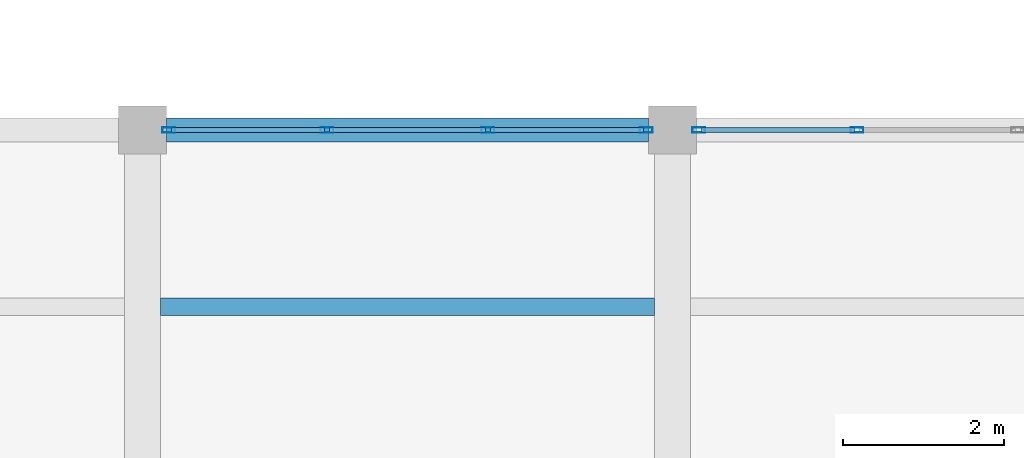
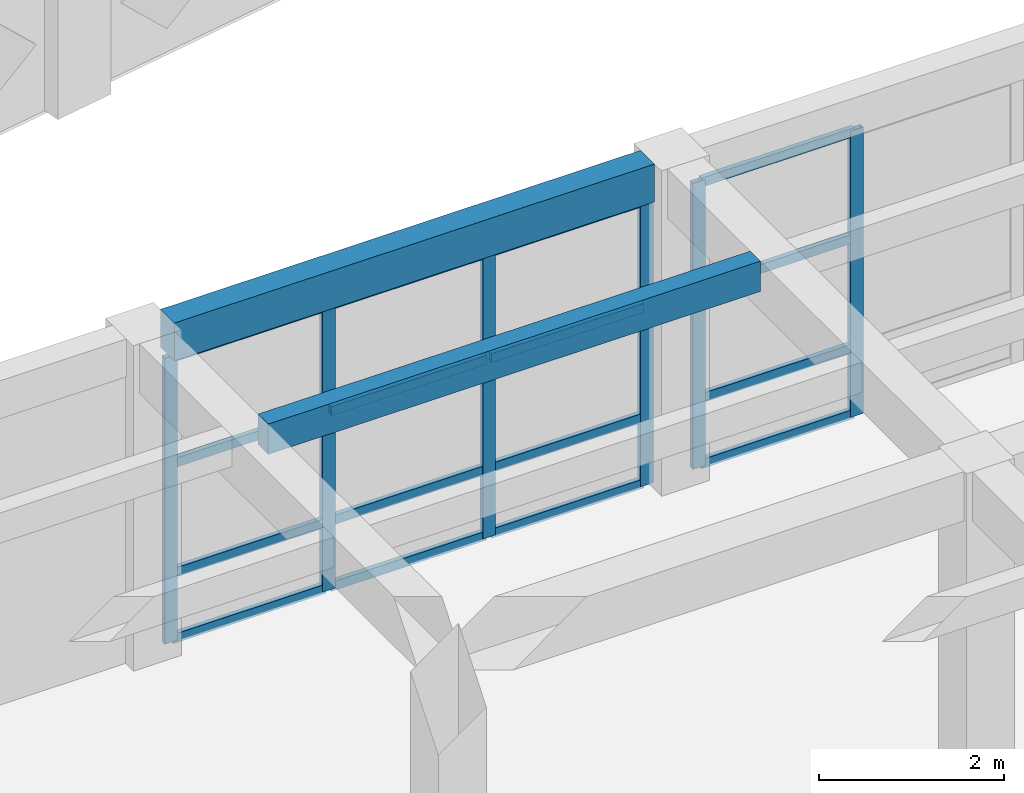
# One storey, part 11 of 80: 22 members, 2 beams, 2 elements without a shape of their own.
"""IFC4 building model written with IfcOpenShell, lengths in metres."""

from ifc_helpers import new_model, si_unit, direction, frame, origin, origin_2d, place, context, subcontext, project, spatial, rectangle, hollow_rectangle, extrude, material, layer, layer_set, material_profile, profile_set, type_object, element, aggregate, save


model = new_model("IFC4")

# Units and contexts
model_context = context("Model", 3, precision=1e-05, world=origin(), true_north=direction((0.0, 1.0)))
body_context = subcontext(model_context, "Body", "Model", "MODEL_VIEW")
ifc_project = project(units=[si_unit("LENGTHUNIT", "METRE"), si_unit("AREAUNIT", "SQUARE_METRE"), si_unit("VOLUMEUNIT", "CUBIC_METRE"), si_unit("PLANEANGLEUNIT", "RADIAN"), si_unit("MASSUNIT", "GRAM", prefix="KILO")], contexts=[model_context])

# Site, building, storey
site_placement = place(None, origin())
site = spatial("IfcSite", under=ifc_project, at=site_placement, CompositionType="ELEMENT")
building_placement = place(site_placement, origin())
building = spatial("IfcBuilding", under=site, at=building_placement, Name="Kharisveld Research Institute", CompositionType="ELEMENT")
storey_placement = place(building_placement, frame((0.0, 0.0, 5.10009765625)))
storey = spatial("IfcBuildingStorey", under=building, at=storey_placement, Name="L01", CompositionType="ELEMENT", Elevation=5.10009765625)

# Curtain wall, members
ifc_material_1 = material(Name="Thermally Broken Aluminium Curtain Wall", Category="aluminium")
ifc_layer_1 = layer(ifc_material_1, 0.159912109375)
ifc_layer_set_1 = layer_set([ifc_layer_1], Name="CW_SYS_05")
curtain_wall_type_1 = type_object("IfcCurtainWallType", Name="CW_SYS_05", PredefinedType="NOTDEFINED", material=ifc_layer_set_1)
curtain_wall_1_placement = place(storey_placement, origin())
curtain_wall_1 = element("IfcCurtainWall", 1, at=curtain_wall_1_placement, inside=storey, type_object=curtain_wall_type_1, Name="CW:V3:L01:N1", PredefinedType="NOTDEFINED")
ifc_material_2 = material(Name="Anodised Aluminium AW-6063-T6", Category="aluminium")
ifc_material_profile_1 = material_profile(ifc_material_2, hollow_rectangle(XDim=0.06494140625, YDim=0.159912109375, WallThickness=0.00390625, at=origin_2d()))
ifc_profile_set_1 = profile_set([ifc_material_profile_1], Name="Anodised Aluminium AW-6063-T6")
member_type_1 = type_object("IfcMemberType", Name="CW_MUL_160", PredefinedType="MULLION", material=ifc_profile_set_1)
member_1_placement = place(storey_placement, frame((7.527587890625, 26.60009765625, 0.0), z_axis=(0.0, 0.0, 1.0), x_axis=(0.0, 1.0, 0.0)))
member_1 = element("IfcMember", 2, at=member_1_placement, type_object=member_type_1, Name="CW-05 mullion 1", PredefinedType="MULLION", context=body_context, shape_type="SweptSolid", body=[
    extrude(hollow_rectangle(XDim=0.06494140625, YDim=0.159912109375, WallThickness=0.00390625, at=origin_2d()), origin(), (0.0, 0.0, 1.0), 3.77978515625),
])
member_2_placement = place(storey_placement, frame((9.498291015625, 26.60009765625, 0.0), z_axis=(0.0, 0.0, 1.0), x_axis=(0.0, 1.0, 0.0)))
member_2 = element("IfcMember", 3, at=member_2_placement, type_object=member_type_1, Name="CW-05 mullion 2", PredefinedType="MULLION", context=body_context, shape_type="SweptSolid", body=[
    extrude(hollow_rectangle(XDim=0.06494140625, YDim=0.159912109375, WallThickness=0.00390625, at=origin_2d()), origin(), (0.0, 0.0, 1.0), 3.77978515625),
])
member_3_placement = place(storey_placement, frame((11.501708984375, 26.60009765625, 0.0), z_axis=(0.0, 0.0, 1.0), x_axis=(0.0, 1.0, 0.0)))
member_3 = element("IfcMember", 4, at=member_3_placement, type_object=member_type_1, Name="CW-05 mullion 3", PredefinedType="MULLION", context=body_context, shape_type="SweptSolid", body=[
    extrude(hollow_rectangle(XDim=0.06494140625, YDim=0.159912109375, WallThickness=0.00390625, at=origin_2d()), origin(), (0.0, 0.0, 1.0), 3.77978515625),
])
member_4_placement = place(storey_placement, frame((13.472412109375, 26.60009765625, 0.0), z_axis=(0.0, 0.0, 1.0), x_axis=(0.0, 1.0, 0.0)))
member_4 = element("IfcMember", 5, at=member_4_placement, type_object=member_type_1, Name="CW-05 mullion 4", PredefinedType="MULLION", context=body_context, shape_type="SweptSolid", body=[
    extrude(hollow_rectangle(XDim=0.06494140625, YDim=0.159912109375, WallThickness=0.00390625, at=origin_2d()), origin(), (0.0, 0.0, 1.0), 3.77978515625),
])

ifc_material_3 = material(Name="Thermally Broken Aluminium Curtain Wall", Category="aluminium")
ifc_layer_2 = layer(ifc_material_3, 0.159912109375)
ifc_layer_set_2 = layer_set([ifc_layer_2], Name="CW_SYS_06")
curtain_wall_type_2 = type_object("IfcCurtainWallType", Name="CW_SYS_06", PredefinedType="NOTDEFINED", material=ifc_layer_set_2)
curtain_wall_2_placement = place(storey_placement, origin())
curtain_wall_2 = element("IfcCurtainWall", 6, at=curtain_wall_2_placement, inside=storey, type_object=curtain_wall_type_2, Name="CW:V3:L01:N2", PredefinedType="NOTDEFINED")
member_5_placement = place(storey_placement, frame((14.12744140625, 26.60009765625, 0.0), z_axis=(0.0, 0.0, 1.0), x_axis=(0.0, 1.0, 0.0)))
member_5 = element("IfcMember", 7, at=member_5_placement, type_object=member_type_1, Name="CW-06 mullion 1", PredefinedType="MULLION", context=body_context, shape_type="SweptSolid", body=[
    extrude(hollow_rectangle(XDim=0.06494140625, YDim=0.159912109375, WallThickness=0.00390625, at=origin_2d()), origin(), (0.0, 0.0, 1.0), 3.77978515625),
])
member_6_placement = place(storey_placement, frame((16.098388671875, 26.60009765625, 0.0), z_axis=(0.0, 0.0, 1.0), x_axis=(0.0, 1.0, 0.0)))
member_6 = element("IfcMember", 8, at=member_6_placement, type_object=member_type_1, Name="CW-06 mullion 2", PredefinedType="MULLION", context=body_context, shape_type="SweptSolid", body=[
    extrude(hollow_rectangle(XDim=0.06494140625, YDim=0.159912109375, WallThickness=0.00390625, at=origin_2d()), origin(), (0.0, 0.0, 1.0), 3.77978515625),
])

# Member
ifc_material_4 = material(Name="Anodised Aluminium AW-6063-T6", Category="aluminium")
ifc_material_profile_2 = material_profile(ifc_material_4, hollow_rectangle(XDim=0.06005859375, YDim=0.1201171875, WallThickness=0.00390625, at=origin_2d()))
ifc_profile_set_2 = profile_set([ifc_material_profile_2], Name="Anodised Aluminium AW-6063-T6")
member_type_2 = type_object("IfcMemberType", Name="CW_TRN_120", PredefinedType="USERDEFINED", material=ifc_profile_set_2)
member_7_placement = place(storey_placement, frame((7.56005859375, 26.60009765625, 0.02978515625), z_axis=(1.0, 0.0, 0.0), x_axis=(0.0, 1.0, 0.0)))
member_7 = element("IfcMember", 9, at=member_7_placement, type_object=member_type_2, Name="CW-05 transom 1.1", ObjectType="TRANSOM", PredefinedType="USERDEFINED", context=body_context, shape_type="SweptSolid", body=[
    extrude(hollow_rectangle(XDim=0.06005859375, YDim=0.1201171875, WallThickness=0.00390625, at=origin_2d()), origin(), (0.0, 0.0, 1.0), 1.90576171875),
])

member_8_placement = place(storey_placement, frame((7.56005859375, 26.60009765625, 0.89990234375), z_axis=(1.0, 0.0, 0.0), x_axis=(0.0, 1.0, 0.0)))
member_8 = element("IfcMember", 10, at=member_8_placement, type_object=member_type_2, Name="CW-05 transom 1.2", ObjectType="TRANSOM", PredefinedType="USERDEFINED", context=body_context, shape_type="SweptSolid", body=[
    extrude(hollow_rectangle(XDim=0.06005859375, YDim=0.1201171875, WallThickness=0.00390625, at=origin_2d()), origin(), (0.0, 0.0, 1.0), 1.90576171875),
])

member_9_placement = place(storey_placement, frame((7.56005859375, 26.60009765625, 2.349853515625), z_axis=(1.0, 0.0, 0.0), x_axis=(0.0, 1.0, 0.0)))
member_9 = element("IfcMember", 11, at=member_9_placement, type_object=member_type_2, Name="CW-05 transom 1.3", ObjectType="TRANSOM", PredefinedType="USERDEFINED", context=body_context, shape_type="SweptSolid", body=[
    extrude(hollow_rectangle(XDim=0.06005859375, YDim=0.1201171875, WallThickness=0.00390625, at=origin_2d()), origin(), (0.0, 0.0, 1.0), 1.90576171875),
])

member_10_placement = place(storey_placement, frame((7.56005859375, 26.60009765625, 3.75), z_axis=(1.0, 0.0, 0.0), x_axis=(0.0, 1.0, 0.0)))
member_10 = element("IfcMember", 12, at=member_10_placement, type_object=member_type_2, Name="CW-05 transom 1.4", ObjectType="TRANSOM", PredefinedType="USERDEFINED", context=body_context, shape_type="SweptSolid", body=[
    extrude(hollow_rectangle(XDim=0.06005859375, YDim=0.1201171875, WallThickness=0.00390625, at=origin_2d()), origin(), (0.0, 0.0, 1.0), 1.90576171875),
])

member_11_placement = place(storey_placement, frame((9.53076171875, 26.60009765625, 0.02978515625), z_axis=(1.0, 0.0, 0.0), x_axis=(0.0, 1.0, 0.0)))
member_11 = element("IfcMember", 13, at=member_11_placement, type_object=member_type_2, Name="CW-05 transom 2.1", ObjectType="TRANSOM", PredefinedType="USERDEFINED", context=body_context, shape_type="SweptSolid", body=[
    extrude(hollow_rectangle(XDim=0.06005859375, YDim=0.1201171875, WallThickness=0.00390625, at=origin_2d()), origin(), (0.0, 0.0, 1.0), 1.9384765625),
])

member_12_placement = place(storey_placement, frame((9.53076171875, 26.60009765625, 0.89990234375), z_axis=(1.0, 0.0, 0.0), x_axis=(0.0, 1.0, 0.0)))
member_12 = element("IfcMember", 14, at=member_12_placement, type_object=member_type_2, Name="CW-05 transom 2.2", ObjectType="TRANSOM", PredefinedType="USERDEFINED", context=body_context, shape_type="SweptSolid", body=[
    extrude(hollow_rectangle(XDim=0.06005859375, YDim=0.1201171875, WallThickness=0.00390625, at=origin_2d()), origin(), (0.0, 0.0, 1.0), 1.9384765625),
])

member_13_placement = place(storey_placement, frame((9.53076171875, 26.60009765625, 2.349853515625), z_axis=(1.0, 0.0, 0.0), x_axis=(0.0, 1.0, 0.0)))
member_13 = element("IfcMember", 15, at=member_13_placement, type_object=member_type_2, Name="CW-05 transom 2.3", ObjectType="TRANSOM", PredefinedType="USERDEFINED", context=body_context, shape_type="SweptSolid", body=[
    extrude(hollow_rectangle(XDim=0.06005859375, YDim=0.1201171875, WallThickness=0.00390625, at=origin_2d()), origin(), (0.0, 0.0, 1.0), 1.9384765625),
])

member_14_placement = place(storey_placement, frame((9.53076171875, 26.60009765625, 3.75), z_axis=(1.0, 0.0, 0.0), x_axis=(0.0, 1.0, 0.0)))
member_14 = element("IfcMember", 16, at=member_14_placement, type_object=member_type_2, Name="CW-05 transom 2.4", ObjectType="TRANSOM", PredefinedType="USERDEFINED", context=body_context, shape_type="SweptSolid", body=[
    extrude(hollow_rectangle(XDim=0.06005859375, YDim=0.1201171875, WallThickness=0.00390625, at=origin_2d()), origin(), (0.0, 0.0, 1.0), 1.9384765625),
])

member_15_placement = place(storey_placement, frame((11.5341796875, 26.60009765625, 0.02978515625), z_axis=(1.0, 0.0, 0.0), x_axis=(0.0, 1.0, 0.0)))
member_15 = element("IfcMember", 17, at=member_15_placement, type_object=member_type_2, Name="CW-05 transom 3.1", ObjectType="TRANSOM", PredefinedType="USERDEFINED", context=body_context, shape_type="SweptSolid", body=[
    extrude(hollow_rectangle(XDim=0.06005859375, YDim=0.1201171875, WallThickness=0.00390625, at=origin_2d()), origin(), (0.0, 0.0, 1.0), 1.90576171875),
])

member_16_placement = place(storey_placement, frame((11.5341796875, 26.60009765625, 0.89990234375), z_axis=(1.0, 0.0, 0.0), x_axis=(0.0, 1.0, 0.0)))
member_16 = element("IfcMember", 18, at=member_16_placement, type_object=member_type_2, Name="CW-05 transom 3.2", ObjectType="TRANSOM", PredefinedType="USERDEFINED", context=body_context, shape_type="SweptSolid", body=[
    extrude(hollow_rectangle(XDim=0.06005859375, YDim=0.1201171875, WallThickness=0.00390625, at=origin_2d()), origin(), (0.0, 0.0, 1.0), 1.90576171875),
])

member_17_placement = place(storey_placement, frame((11.5341796875, 26.60009765625, 2.349853515625), z_axis=(1.0, 0.0, 0.0), x_axis=(0.0, 1.0, 0.0)))
member_17 = element("IfcMember", 19, at=member_17_placement, type_object=member_type_2, Name="CW-05 transom 3.3", ObjectType="TRANSOM", PredefinedType="USERDEFINED", context=body_context, shape_type="SweptSolid", body=[
    extrude(hollow_rectangle(XDim=0.06005859375, YDim=0.1201171875, WallThickness=0.00390625, at=origin_2d()), origin(), (0.0, 0.0, 1.0), 1.90576171875),
])

member_18_placement = place(storey_placement, frame((11.5341796875, 26.60009765625, 3.75), z_axis=(1.0, 0.0, 0.0), x_axis=(0.0, 1.0, 0.0)))
member_18 = element("IfcMember", 20, at=member_18_placement, type_object=member_type_2, Name="CW-05 transom 3.4", ObjectType="TRANSOM", PredefinedType="USERDEFINED", context=body_context, shape_type="SweptSolid", body=[
    extrude(hollow_rectangle(XDim=0.06005859375, YDim=0.1201171875, WallThickness=0.00390625, at=origin_2d()), origin(), (0.0, 0.0, 1.0), 1.90576171875),
])

aggregate(curtain_wall_1, [member_1, member_2, member_3, member_4, member_7, member_8, member_9, member_10, member_11, member_12, member_13, member_14, member_15, member_16, member_17, member_18])

member_19_placement = place(storey_placement, frame((14.159912109375, 26.60009765625, 0.02978515625), z_axis=(1.0, 0.0, 0.0), x_axis=(0.0, 1.0, 0.0)))
member_19 = element("IfcMember", 21, at=member_19_placement, type_object=member_type_2, Name="CW-06 transom 1.1", ObjectType="TRANSOM", PredefinedType="USERDEFINED", context=body_context, shape_type="SweptSolid", body=[
    extrude(hollow_rectangle(XDim=0.06005859375, YDim=0.1201171875, WallThickness=0.00390625, at=origin_2d()), origin(), (0.0, 0.0, 1.0), 1.906005859375),
])

member_20_placement = place(storey_placement, frame((14.159912109375, 26.60009765625, 0.89990234375), z_axis=(1.0, 0.0, 0.0), x_axis=(0.0, 1.0, 0.0)))
member_20 = element("IfcMember", 22, at=member_20_placement, type_object=member_type_2, Name="CW-06 transom 1.2", ObjectType="TRANSOM", PredefinedType="USERDEFINED", context=body_context, shape_type="SweptSolid", body=[
    extrude(hollow_rectangle(XDim=0.06005859375, YDim=0.1201171875, WallThickness=0.00390625, at=origin_2d()), origin(), (0.0, 0.0, 1.0), 1.906005859375),
])

member_21_placement = place(storey_placement, frame((14.159912109375, 26.60009765625, 2.349853515625), z_axis=(1.0, 0.0, 0.0), x_axis=(0.0, 1.0, 0.0)))
member_21 = element("IfcMember", 23, at=member_21_placement, type_object=member_type_2, Name="CW-06 transom 1.3", ObjectType="TRANSOM", PredefinedType="USERDEFINED", context=body_context, shape_type="SweptSolid", body=[
    extrude(hollow_rectangle(XDim=0.06005859375, YDim=0.1201171875, WallThickness=0.00390625, at=origin_2d()), origin(), (0.0, 0.0, 1.0), 1.906005859375),
])

member_22_placement = place(storey_placement, frame((14.159912109375, 26.60009765625, 3.75), z_axis=(1.0, 0.0, 0.0), x_axis=(0.0, 1.0, 0.0)))
member_22 = element("IfcMember", 24, at=member_22_placement, type_object=member_type_2, Name="CW-06 transom 1.4", ObjectType="TRANSOM", PredefinedType="USERDEFINED", context=body_context, shape_type="SweptSolid", body=[
    extrude(hollow_rectangle(XDim=0.06005859375, YDim=0.1201171875, WallThickness=0.00390625, at=origin_2d()), origin(), (0.0, 0.0, 1.0), 1.906005859375),
])

aggregate(curtain_wall_2, [member_5, member_6, member_19, member_20, member_21, member_22])

# Beams
ifc_material_5 = material(Name="Concrete C40/50", Category="concrete")
ifc_material_profile_3 = material_profile(ifc_material_5, rectangle(XDim=0.300048828125, YDim=0.5, at=origin_2d()))
ifc_profile_set_3 = profile_set([ifc_material_profile_3], Name="Concrete C40/50")
beam_type_1 = type_object("IfcBeamType", Name="SP_RC_300x500", PredefinedType="SPANDREL", material=ifc_profile_set_3)
beam_1_placement = place(storey_placement, frame((7.5, 26.60009765625, 4.0498046875), z_axis=(1.0, 0.0, 0.0), x_axis=(0.0, 1.0, 0.0)))
element("IfcBeam", 25, at=beam_1_placement, inside=storey, type_object=beam_type_1, Name="BM:V3:L01:U1_4", PredefinedType="SPANDREL", context=body_context, shape_type="SweptSolid", body=[
    extrude(rectangle(XDim=0.300048828125, YDim=0.5, at=origin_2d()), origin(), (0.0, 0.0, 1.0), 6.0),
])
ifc_material_6 = material(Name="Concrete C40/50", Category="concrete")
ifc_material_profile_4 = material_profile(ifc_material_6, rectangle(XDim=0.219970703125, YDim=0.39990234375, at=origin_2d()))
ifc_profile_set_4 = profile_set([ifc_material_profile_4], Name="Concrete C40/50")
beam_type_2 = type_object("IfcBeamType", Name="WB_RC_220x400", PredefinedType="JOIST", material=ifc_profile_set_4)
beam_2_placement = place(storey_placement, frame((7.425048828125, 24.39990234375, 4.099853515625), z_axis=(1.0, 0.0, 0.0), x_axis=(0.0, 1.0, 0.0)))
element("IfcBeam", 26, at=beam_2_placement, inside=storey, type_object=beam_type_2, Name="BM:V3:L01:J_1_3_R2", PredefinedType="JOIST", context=body_context, shape_type="SweptSolid", body=[
    extrude(rectangle(XDim=0.219970703125, YDim=0.39990234375, at=origin_2d()), origin(), (0.0, 0.0, 1.0), 6.14990234375),
])

save(model, "model.ifc")
